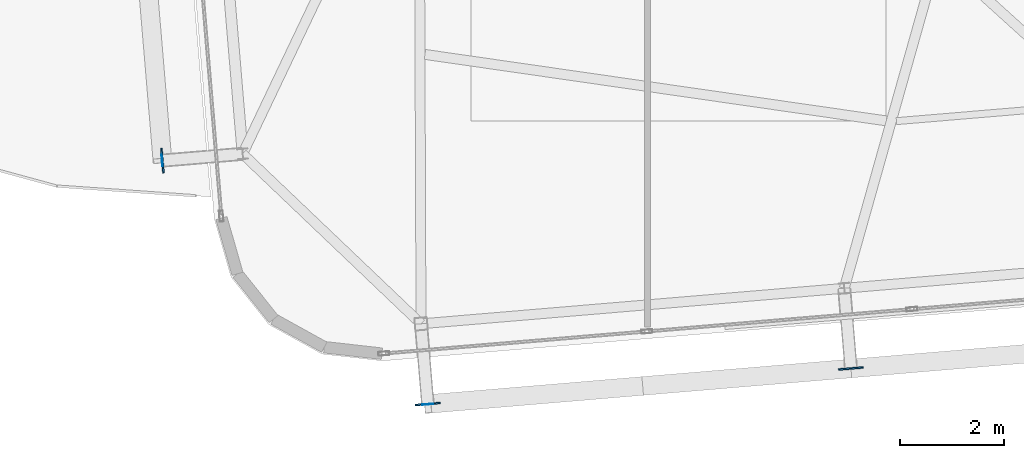
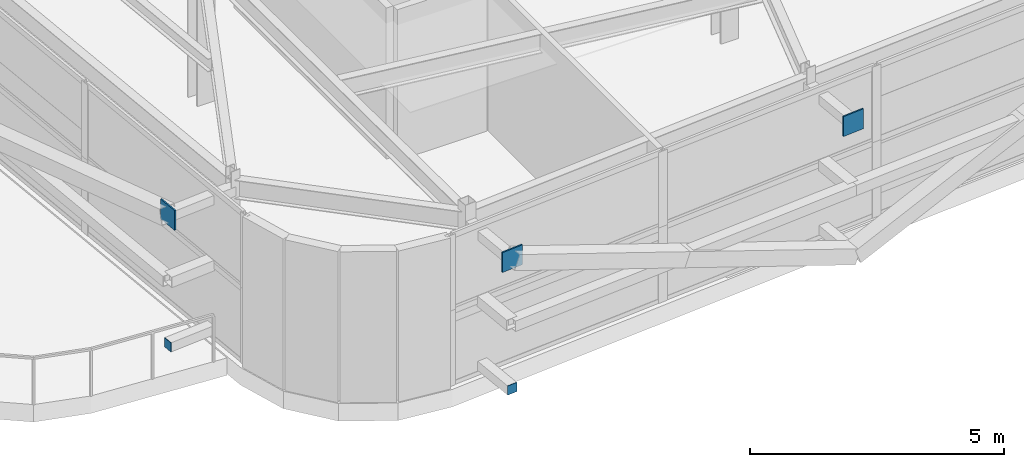
# One storey, part 25 of 38: 5 plates.
"""IFC4 building model written with IfcOpenShell, lengths in metres."""

from ifc_helpers import new_model, si_unit, direction, frame, origin, origin_2d, place, context, subcontext, project, spatial, rectangle, extrude, source, transform, mapped, material, layer, layer_set, type_object, element, save


model = new_model("IFC4")

# Units and contexts
model_context = context("Model", 3, precision=1e-05, world=origin(), true_north=direction((0.0, 1.0)))
body_context = subcontext(model_context, "Body", "Model", "MODEL_VIEW")
ifc_project = project(units=[si_unit("LENGTHUNIT", "METRE"), si_unit("AREAUNIT", "SQUARE_METRE"), si_unit("VOLUMEUNIT", "CUBIC_METRE"), si_unit("PLANEANGLEUNIT", "RADIAN"), si_unit("MASSUNIT", "GRAM", prefix="KILO")], contexts=[model_context])

# Site, building, storey
site_placement = place(None, origin())
site = spatial("IfcSite", under=ifc_project, at=site_placement, CompositionType="ELEMENT")
building_placement = place(site_placement, origin())
building = spatial("IfcBuilding", under=site, at=building_placement, Name="Taldren Reach Tower", CompositionType="ELEMENT")
storey_placement = place(building_placement, frame((0.0, 0.0, 168.699951171875)))
storey = spatial("IfcBuildingStorey", under=building, at=storey_placement, Name="L51", CompositionType="ELEMENT", Elevation=168.699951171875)

# Plates
ifc_material = material(Name="Steel Gr 450 (C450L0)", Category="steel")
ifc_layer_1 = layer(ifc_material, 0.031982421875)
ifc_layer_set_1 = layer_set([ifc_layer_1], Name="Steel Gr 450 (C450L0)")
plate_type_1 = type_object("IfcPlateType", Name="PL-GUSSET-32", PredefinedType="SHEET", material=ifc_layer_set_1)
shared_shape_1 = source(origin(), body_context, "Body", "SweptSolid", [
    extrude(rectangle(XDim=0.47998046875, YDim=0.031982421875, at=origin_2d()), origin(), (0.0, 0.0, 1.0), 0.47998046875),
])
for number, where, z_axis, x_axis, name in (
    (1, (18.16943359375, 0.549560546875, 3.110107421875), (0.0, 0.0, 1.0), (0.99649285925, 0.083677843332, 0.0), "Exoskeleton star-node gusset plate B4-S1 L51"),
    (2, (26.320556640625, 1.23388671875, 3.110107421875), (0.0, 0.0, 1.0), (0.99649285925, 0.083677843332, 0.0), "Exoskeleton star-node gusset plate B4-S2 L51"),
    (3, (13.05908203125, 5.23828125, 3.110107421875), (0.0, 0.0, 1.0), (-0.083677843332, 0.99649285925, 0.0), "Exoskeleton star-node gusset plate B4-W1 L51"),
):
    element("IfcPlate", number, at=place(storey_placement, frame(where, z_axis=z_axis, x_axis=x_axis)), inside=storey, type_object=plate_type_1, Name=name, PredefinedType="SHEET", context=body_context, shape_type="MappedRepresentation", body=[
        mapped(shared_shape_1, transform((0.0, 0.0, 0.0), scale=1.0)),
    ])
ifc_layer_2 = layer(ifc_material, 0.011962890625)
ifc_layer_set_2 = layer_set([ifc_layer_2], Name="Steel Gr 450 (C450L0)")
plate_type_2 = type_object("IfcPlateType", Name="PL-CAP-220", PredefinedType="SHEET", material=ifc_layer_set_2)
shared_shape_2 = source(origin(), body_context, "Body", "SweptSolid", [
    extrude(rectangle(XDim=0.219970703125, YDim=0.011962890625, at=origin_2d()), origin(), (0.0, 0.0, 1.0), 0.219970703125),
])
plate_1_placement = place(storey_placement, frame((18.169921875, 0.54345703125, 0.10986328125), z_axis=(0.0, 0.0, 1.0), x_axis=(0.99649285925, 0.083677843332, 0.0)))
element("IfcPlate", 4, at=plate_1_placement, inside=storey, type_object=plate_type_2, Name="Tie strut end cap plate B4-S1 L51", PredefinedType="SHEET", context=body_context, shape_type="MappedRepresentation", body=[
    mapped(shared_shape_2, transform((0.0, 0.0, 0.0), scale=1.0)),
])
shared_shape_3 = source(origin(), body_context, "Body", "SweptSolid", [
    extrude(rectangle(XDim=0.011962890625, YDim=0.219970703125, at=origin_2d()), origin(), (0.0, 0.0, 1.0), 0.219970703125),
])
plate_2_placement = place(storey_placement, frame((13.052978515625, 5.23779296875, 0.10986328125), z_axis=(0.0, 0.0, 1.0), x_axis=(0.99649285925, 0.083677843332, 0.0)))
element("IfcPlate", 5, at=plate_2_placement, inside=storey, type_object=plate_type_2, Name="Tie strut end cap plate B4-W1 L51", PredefinedType="SHEET", context=body_context, shape_type="MappedRepresentation", body=[
    mapped(shared_shape_3, transform((0.0, 0.0, 0.0), scale=1.0)),
])

save(model, "model.ifc")
